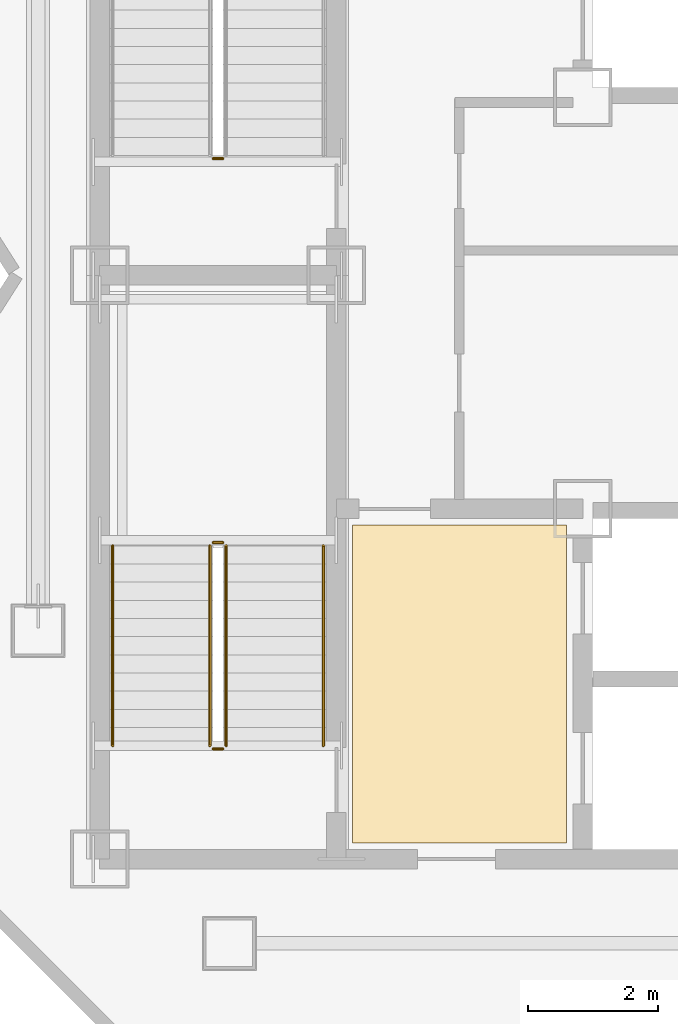
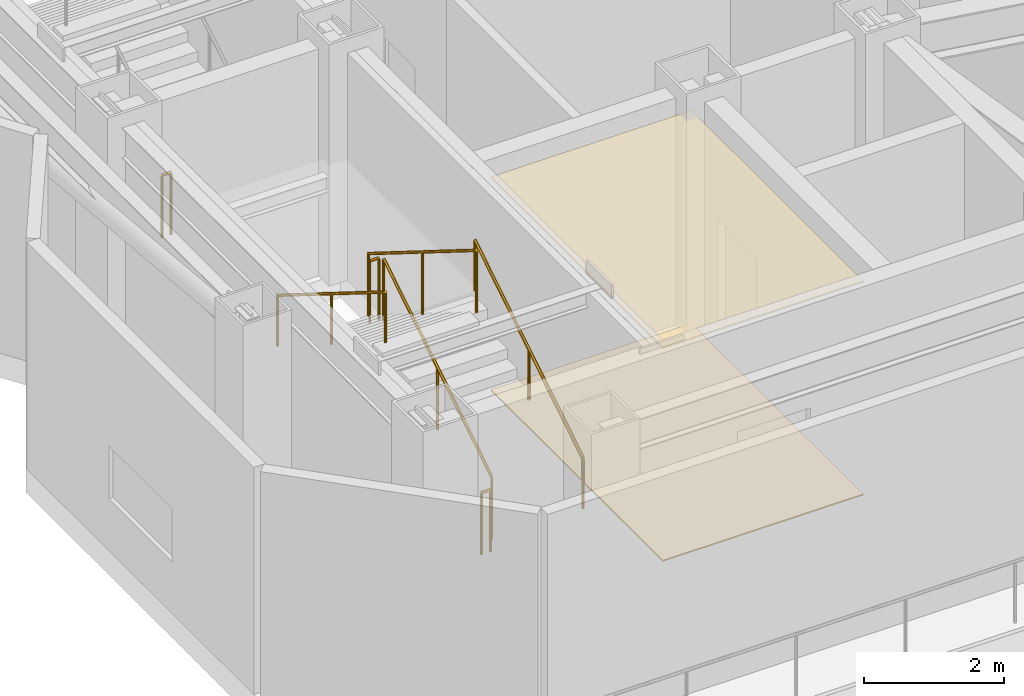
# One storey, part 7 of 10: 7 railings, 2 coverings.
"""IFC4 building model written with IfcOpenShell, lengths in metres."""

from ifc_helpers import new_model, si_unit, direction, frame, origin, origin_2d, place, context, subcontext, project, spatial, polyline, circle, outline, extrude, material, layer, layer_set, type_object, element, save


model = new_model("IFC4")

# Units and contexts
model_context = context("Model", 3, precision=1e-05, world=origin(), true_north=direction((0.0, 1.0)))
body_context = subcontext(model_context, "Body", "Model", "MODEL_VIEW")
ifc_project = project(units=[si_unit("LENGTHUNIT", "METRE"), si_unit("AREAUNIT", "SQUARE_METRE"), si_unit("VOLUMEUNIT", "CUBIC_METRE"), si_unit("PLANEANGLEUNIT", "RADIAN"), si_unit("MASSUNIT", "GRAM", prefix="KILO")], contexts=[model_context])

# Site, building, storey
site_placement = place(None, origin())
site = spatial("IfcSite", under=ifc_project, at=site_placement, CompositionType="ELEMENT")
building_placement = place(site_placement, origin())
building = spatial("IfcBuilding", under=site, at=building_placement, Name="Khamvora Tower", CompositionType="ELEMENT")
storey_placement = place(building_placement, frame((0.0, 0.0, 294.64990234375)))
storey = spatial("IfcBuildingStorey", under=building, at=storey_placement, Name="L75", CompositionType="ELEMENT", Elevation=294.64990234375)

# Coverings
ifc_material_1 = material(Name="Perforated Mineral-Fibre Acoustic Ceiling Tile", Category="gypsum")
ifc_layer_1 = layer(ifc_material_1, 0.02490234375)
ifc_layer_set_1 = layer_set([ifc_layer_1], Name="Perforated Mineral-Fibre Acoustic Ceiling Tile")
covering_type_1 = type_object("IfcCoveringType", Name="COV-CEIL-600", PredefinedType="CEILING", material=ifc_layer_set_1)
covering_1_placement = place(storey_placement, frame((0.0, 0.0, 3.7001953125)))
element("IfcCovering", 1, at=covering_1_placement, inside=storey, type_object=covering_type_1, Name="L75 core lobby suspended acoustic ceiling", PredefinedType="CEILING", context=body_context, shape_type="SweptSolid", body=[
    extrude(outline(polyline([(32.89990234375, 19.25), (36.199951171875, 19.25), (36.199951171875, 24.14990234375), (32.89990234375, 24.14990234375), (32.89990234375, 19.25)])), origin(), (0.0, 0.0, 1.0), 0.02490234375),
])
ifc_material_2 = material(Name="Honed Terrazzo Stone Tile", Category="masonry")
ifc_layer_2 = layer(ifc_material_2, 0.02001953125)
ifc_layer_set_2 = layer_set([ifc_layer_2], Name="Honed Terrazzo Stone Tile")
covering_type_2 = type_object("IfcCoveringType", Name="COV-FLOR-20", PredefinedType="FLOORING", material=ifc_layer_set_2)
covering_2_placement = place(storey_placement, origin())
element("IfcCovering", 2, at=covering_2_placement, inside=storey, type_object=covering_type_2, Name="L75 lift lobby terrazzo flooring", PredefinedType="FLOORING", context=body_context, shape_type="SweptSolid", body=[
    extrude(outline(polyline([(32.89990234375, 19.25), (36.199951171875, 19.25), (36.199951171875, 24.14990234375), (32.89990234375, 24.14990234375), (32.89990234375, 19.25)])), origin(), (0.0, 0.0, 1.0), 0.02001953125),
])

# Railings
ifc_material_3 = material(Name="Brushed Stainless Steel 316", Category="steel")
railing_type_1 = type_object("IfcRailingType", Name="RAL-HDR-920", PredefinedType="HANDRAIL", material=ifc_material_3)
railing_1_placement = place(storey_placement, frame((32.449951171875, 20.75, 0.175048828125)))
element("IfcRailing", 3, at=railing_1_placement, inside=storey, type_object=railing_type_1, Name="L75 ST-01 stair handrail 1", PredefinedType="HANDRAIL", context=body_context, shape_type="SweptSolid", body=[
    extrude(circle(Radius=0.02392578125, at=origin_2d()), frame((0.0, 0.0, 0.8759765625), z_axis=(0.0, 0.847998304005, 0.529998940003), x_axis=(-1.0, 0.0, 0.0)), (0.0, 0.0, 1.0), 3.632080078125),
    extrude(circle(Radius=0.02099609375, at=origin_2d()), origin(), (0.0, 0.0, 1.0), 0.851806640625),
    extrude(circle(Radius=0.02099609375, at=origin_2d()), frame((0.0, 1.5400390625, 0.96240234375)), (0.0, 0.0, 1.0), 0.851806640625),
    extrude(circle(Radius=0.02099609375, at=origin_2d()), frame((0.0, 3.080078125, 1.925048828125)), (0.0, 0.0, 1.0), 0.851806640625),
])
railing_2_placement = place(storey_placement, frame((29.199951171875, 23.830078125, 2.275146484375)))
element("IfcRailing", 4, at=railing_2_placement, inside=storey, type_object=railing_type_1, Name="L75 ST-01 stair handrail 2", PredefinedType="HANDRAIL", context=body_context, shape_type="SweptSolid", body=[
    extrude(circle(Radius=0.02392578125, at=origin_2d()), frame((0.0, 0.0, 0.8759765625), z_axis=(0.0, -0.847998304005, 0.529998940003), x_axis=(1.0, 0.0, 0.0)), (0.0, 0.0, 1.0), 3.632080078125),
    extrude(circle(Radius=0.02099609375, at=origin_2d()), origin(), (0.0, 0.0, 1.0), 0.851806640625),
    extrude(circle(Radius=0.02099609375, at=origin_2d()), frame((0.0, -1.5400390625, 0.96240234375)), (0.0, 0.0, 1.0), 0.851806640625),
    extrude(circle(Radius=0.02099609375, at=origin_2d()), frame((0.0, -3.080078125, 1.925048828125)), (0.0, 0.0, 1.0), 0.851806640625),
])
ifc_material_4 = material(Name="Stainless Steel 316", Category="steel")
railing_type_2 = type_object("IfcRailingType", Name="RAL-STG-1100", PredefinedType="GUARDRAIL", material=ifc_material_4)
railing_3_placement = place(storey_placement, frame((30.949951171875, 20.75, 0.175048828125)))
element("IfcRailing", 5, at=railing_3_placement, inside=storey, type_object=railing_type_2, Name="L75 ST-01 stair guard 1", PredefinedType="GUARDRAIL", context=body_context, shape_type="SweptSolid", body=[
    extrude(circle(Radius=0.02392578125, at=origin_2d()), frame((0.0, 0.0, 1.076171875), z_axis=(0.0, 0.847998304005, 0.529998940003), x_axis=(-1.0, 0.0, 0.0)), (0.0, 0.0, 1.0), 3.632080078125),
    extrude(circle(Radius=0.02099609375, at=origin_2d()), origin(), (0.0, 0.0, 1.0), 1.052001953125),
    extrude(circle(Radius=0.02099609375, at=origin_2d()), frame((0.0, 1.5400390625, 0.96240234375)), (0.0, 0.0, 1.0), 1.052001953125),
    extrude(circle(Radius=0.02099609375, at=origin_2d()), frame((0.0, 3.080078125, 1.925048828125)), (0.0, 0.0, 1.0), 1.052001953125),
])
railing_4_placement = place(storey_placement, frame((30.89990234375, 23.8798828125, 2.10009765625)))
element("IfcRailing", 6, at=railing_4_placement, inside=storey, type_object=railing_type_2, Name="L75 ST-01 stair guard 2", PredefinedType="GUARDRAIL", context=body_context, shape_type="SweptSolid", body=[
    extrude(circle(Radius=0.02392578125, at=origin_2d()), frame((0.0, 0.0, 1.076171875), z_axis=(-1.0, 0.0, 0.0), x_axis=(0.0, -1.0, 0.0)), (0.0, 0.0, 1.0), 0.14990234375),
    extrude(circle(Radius=0.02099609375, at=origin_2d()), origin(), (0.0, 0.0, 1.0), 1.052001953125),
    extrude(circle(Radius=0.02099609375, at=origin_2d()), frame((-0.14990234375, 0.0, 0.0)), (0.0, 0.0, 1.0), 1.052001953125),
])
railing_5_placement = place(storey_placement, frame((30.699951171875, 23.830078125, 2.275146484375)))
element("IfcRailing", 7, at=railing_5_placement, inside=storey, type_object=railing_type_2, Name="L75 ST-01 stair guard 3", PredefinedType="GUARDRAIL", context=body_context, shape_type="SweptSolid", body=[
    extrude(circle(Radius=0.02392578125, at=origin_2d()), frame((0.0, 0.0, 1.076171875), z_axis=(0.0, -0.847998304005, 0.529998940003), x_axis=(1.0, 0.0, 0.0)), (0.0, 0.0, 1.0), 3.632080078125),
    extrude(circle(Radius=0.02099609375, at=origin_2d()), origin(), (0.0, 0.0, 1.0), 1.052001953125),
    extrude(circle(Radius=0.02099609375, at=origin_2d()), frame((0.0, -1.5400390625, 0.96240234375)), (0.0, 0.0, 1.0), 1.052001953125),
    extrude(circle(Radius=0.02099609375, at=origin_2d()), frame((0.0, -3.080078125, 1.925048828125)), (0.0, 0.0, 1.0), 1.052001953125),
])
for number, where, name in (
    (8, (30.89990234375, 20.699951171875, 0.0), "L75 ST-01 stair guard 4"),
    (9, (30.89990234375, 29.800048828125, 0.0), "L75 ST-02 stair guard 4"),
):
    element("IfcRailing", number, at=place(storey_placement, frame(where)), inside=storey, type_object=railing_type_2, Name=name, PredefinedType="GUARDRAIL", context=body_context, shape_type="SweptSolid", body=[
        extrude(circle(Radius=0.02392578125, at=origin_2d()), frame((0.0, 0.0, 1.076171875), z_axis=(-1.0, 0.0, 0.0), x_axis=(0.0, -1.0, 0.0)), (0.0, 0.0, 1.0), 0.14990234375),
        extrude(circle(Radius=0.02099609375, at=origin_2d()), origin(), (0.0, 0.0, 1.0), 1.052001953125),
        extrude(circle(Radius=0.02099609375, at=origin_2d()), frame((-0.14990234375, 0.0, 0.0)), (0.0, 0.0, 1.0), 1.052001953125),
    ])

save(model, "model.ifc")
